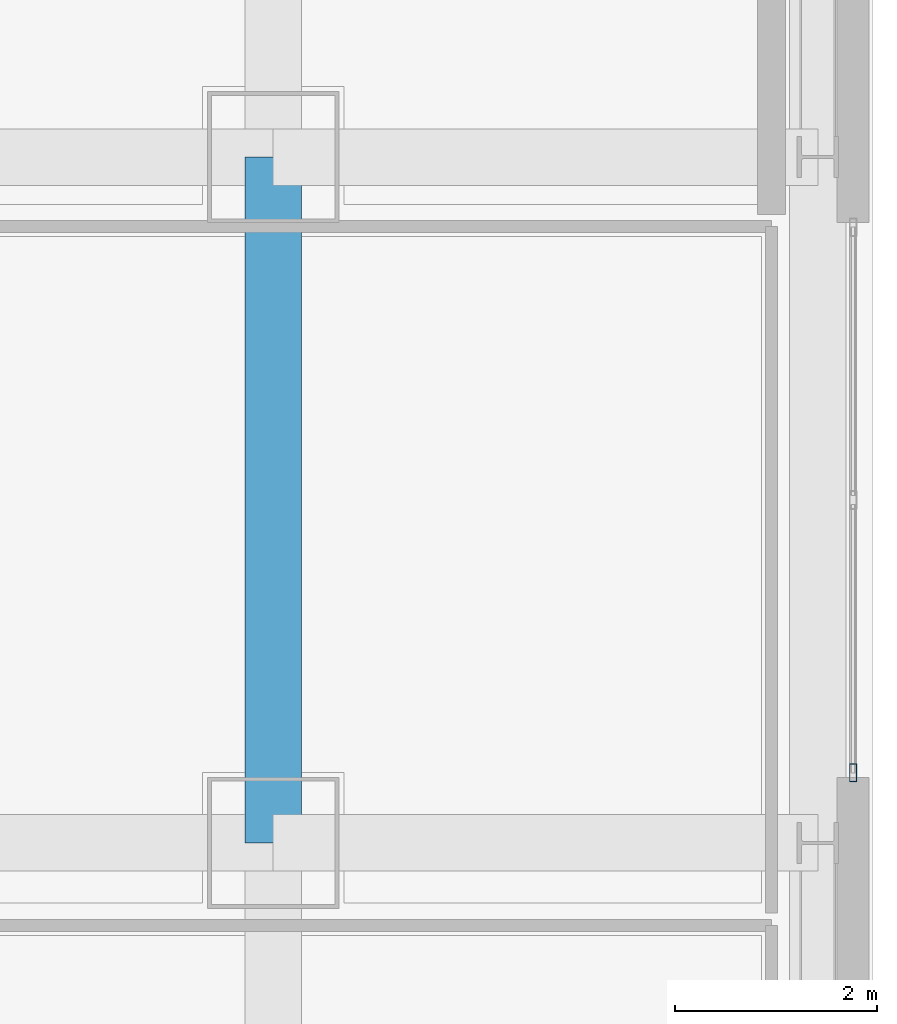
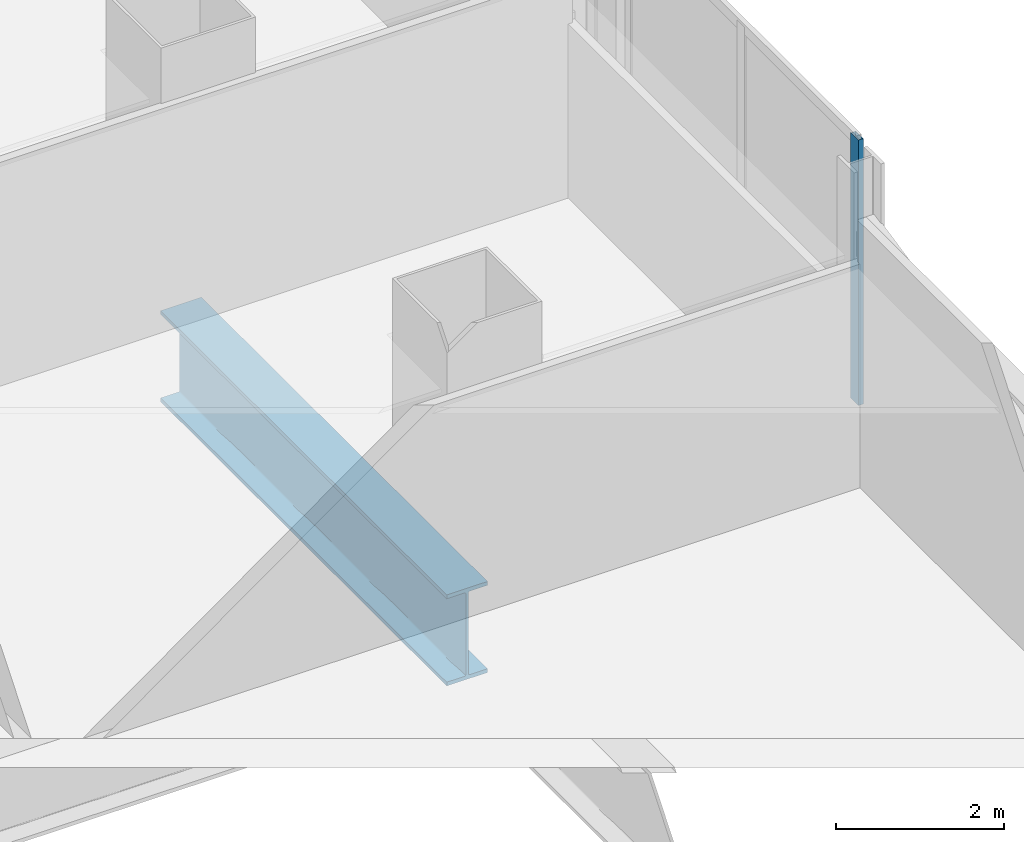
# One storey, part 7 of 30: 1 beam, 1 member, 1 element without a shape of its own.
"""IFC4 building model written with IfcOpenShell, lengths in metres."""

from ifc_helpers import new_model, si_unit, direction, frame, origin, origin_2d, place, context, subcontext, project, spatial, hollow_rectangle, i_section, extrude, material, material_profile, profile_set, type_object, element, aggregate, save


model = new_model("IFC4")

# Units and contexts
model_context = context("Model", 3, precision=1e-05, world=origin(), true_north=direction((0.0, 1.0)))
body_context = subcontext(model_context, "Body", "Model", "MODEL_VIEW")
ifc_project = project(units=[si_unit("LENGTHUNIT", "METRE"), si_unit("AREAUNIT", "SQUARE_METRE"), si_unit("VOLUMEUNIT", "CUBIC_METRE"), si_unit("PLANEANGLEUNIT", "RADIAN"), si_unit("MASSUNIT", "GRAM", prefix="KILO")], contexts=[model_context])

# Site, building, storey
site_placement = place(None, origin())
site = spatial("IfcSite", under=ifc_project, at=site_placement, CompositionType="ELEMENT")
building_placement = place(site_placement, origin())
building = spatial("IfcBuilding", under=site, at=building_placement, Name="Punatoya Terracotta Tower", CompositionType="ELEMENT")
storey_placement = place(building_placement, frame((0.0, 0.0, 251.39990234375)))
storey = spatial("IfcBuildingStorey", under=building, at=storey_placement, Name="L59", CompositionType="ELEMENT", Elevation=251.39990234375)

# Beam
ifc_material_1 = material(Name="Steel S460", Category="steel")
ifc_material_profile_1 = material_profile(ifc_material_1, i_section(OverallWidth=0.56005859375, OverallDepth=1.320068359375, WebThickness=0.035888671875, FlangeThickness=0.054931640625, FilletRadius=0.01806640625, at=origin_2d()))
ifc_profile_set_1 = profile_set([ifc_material_profile_1], Name="Steel S460")
beam_type = type_object("IfcBeamType", Name="BM-TG-BLK", PredefinedType="BEAM", material=ifc_profile_set_1)
beam_placement = place(storey_placement, frame((19.10009765625, -3.39990234375, -0.93994140625), z_axis=(0.0, 1.0, 0.0), x_axis=(-1.0, 0.0, 0.0)))
element("IfcBeam", 1, at=beam_placement, inside=storey, type_object=beam_type, Name="BM-L59-RG-E2", PredefinedType="BEAM", context=body_context, shape_type="SweptSolid", body=[
    extrude(i_section(OverallWidth=0.56005859375, OverallDepth=1.320068359375, WebThickness=0.035888671875, FlangeThickness=0.054931640625, FilletRadius=0.01806640625, at=origin_2d()), origin(), (0.0, 0.0, 1.0), 6.7998046875),
])

# Curtain wall, member
ifc_material_2 = material(Name="Aluminium 6063-T6 + Double Low-E Glass", Category="aluminium")
curtain_wall_type = type_object("IfcCurtainWallType", Name="CW-M3", PredefinedType="NOTDEFINED", material=ifc_material_2)
curtain_wall_placement = place(storey_placement, origin())
curtain_wall = element("IfcCurtainWall", 2, at=curtain_wall_placement, inside=storey, type_object=curtain_wall_type, Name="L59 Curtain Wall CW-L59-E05-1", PredefinedType="NOTDEFINED")
ifc_material_3 = material(Name="Aluminium 6063-T6", Category="aluminium")
ifc_material_profile_2 = material_profile(ifc_material_3, hollow_rectangle(XDim=0.070068359375, YDim=0.179931640625, WallThickness=0.00390625, at=origin_2d()))
ifc_profile_set_2 = profile_set([ifc_material_profile_2], Name="Aluminium 6063-T6")
member_type = type_object("IfcMemberType", Name="CW-MUL-M3", PredefinedType="MULLION", material=ifc_profile_set_2)
member_placement = place(storey_placement, frame((24.85009765625, -2.705078125, 0.0), z_axis=(0.0, 0.0, 1.0), x_axis=(1.0, 0.0, 0.0)))
member = element("IfcMember", 3, at=member_placement, type_object=member_type, Name="CW-L59-E05-1 Mullion 00", PredefinedType="MULLION", context=body_context, shape_type="SweptSolid", body=[
    extrude(hollow_rectangle(XDim=0.070068359375, YDim=0.179931640625, WallThickness=0.00390625, at=origin_2d()), origin(), (0.0, 0.0, 1.0), 3.85009765625),
])
aggregate(curtain_wall, [member])

save(model, "model.ifc")
